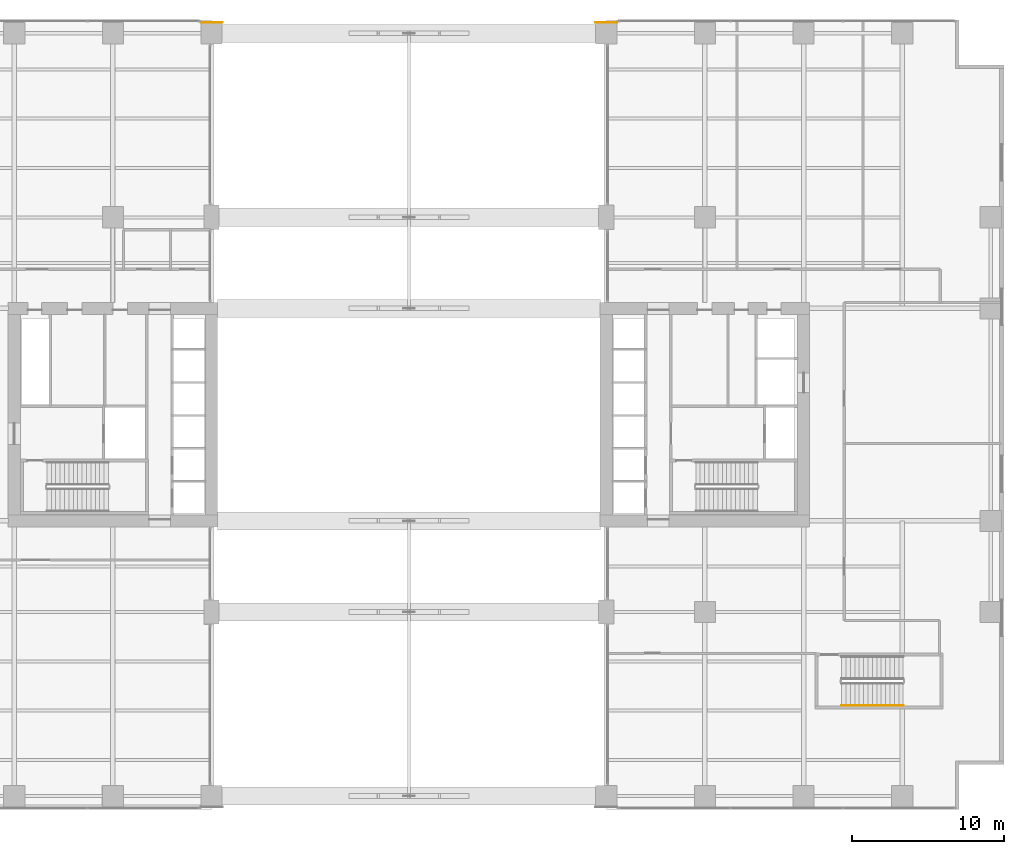
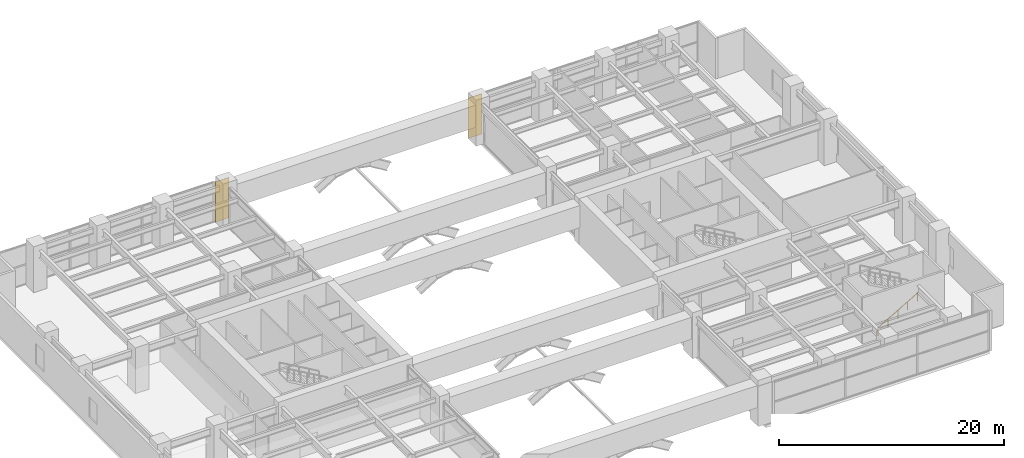
# One storey, part 22 of 23: 2 coverings, 1 railing.
"""IFC4 building model written with IfcOpenShell, lengths in metres."""

from ifc_helpers import new_model, si_unit, direction, frame, origin, origin_2d, place, context, subcontext, project, spatial, rectangle, circle, extrude, material, layer, layer_set, type_object, element, save


model = new_model("IFC4")

# Units and contexts
model_context = context("Model", 3, precision=1e-05, world=origin(), true_north=direction((0.0, 1.0)))
body_context = subcontext(model_context, "Body", "Model", "MODEL_VIEW")
ifc_project = project(units=[si_unit("LENGTHUNIT", "METRE"), si_unit("AREAUNIT", "SQUARE_METRE"), si_unit("VOLUMEUNIT", "CUBIC_METRE"), si_unit("PLANEANGLEUNIT", "RADIAN"), si_unit("MASSUNIT", "GRAM", prefix="KILO")], contexts=[model_context])

# Site, building, storey
site_placement = place(None, origin())
site = spatial("IfcSite", under=ifc_project, at=site_placement, CompositionType="ELEMENT")
building_placement = place(site_placement, origin())
building = spatial("IfcBuilding", under=site, at=building_placement, Name="Putna Gate Headquarters", CompositionType="ELEMENT")
storey_placement = place(building_placement, frame((0.0, 0.0, 17.0)))
storey = spatial("IfcBuildingStorey", under=building, at=storey_placement, Name="L03", CompositionType="ELEMENT", Elevation=17.0)

# Coverings
ifc_material_1 = material(Name="Anodised architectural bronze rainscreen cladding", Category="aluminium")
ifc_layer = layer(ifc_material_1, 0.0400390625)
ifc_layer_set = layer_set([ifc_layer], Name="Anodised architectural bronze rainscreen cladding")
covering_type = type_object("IfcCoveringType", Name="COV-BRONZE-CLADDING", PredefinedType="CLADDING", material=ifc_layer_set)
for number, where, z_axis, x_axis, name in (
    (1, (26.0, 51.8349609375, 0.0), (0.0, 0.0, 1.0), (1.0, 0.0, 0.0), "L03 Giant Arch Pier Bronze Cladding WN"),
    (2, (52.0, 51.8349609375, 0.0), (0.0, 0.0, 1.0), (1.0, 0.0, 0.0), "L03 Giant Arch Pier Bronze Cladding EN"),
):
    element("IfcCovering", number, at=place(storey_placement, frame(where, z_axis=z_axis, x_axis=x_axis)), inside=storey, type_object=covering_type, Name=name, PredefinedType="CLADDING", context=body_context, shape_type="SweptSolid", body=[
        extrude(rectangle(XDim=1.43994140625, YDim=0.0400390625, at=origin_2d()), origin(), (0.0, 0.0, 1.0), 4.39990234375),
    ])

# Railing
ifc_material_2 = material(Name="Brushed stainless steel handrail", Category="steel")
railing_type = type_object("IfcRailingType", Name="RAIL-STAIR-HAND-900", PredefinedType="HANDRAIL", material=ifc_material_2)
railing_placement = place(storey_placement, frame((67.5, 6.85009765625, 0.166748046875)))
element("IfcRailing", 3, at=railing_placement, inside=storey, type_object=railing_type, Name="L03 ST3 stair handrail 1", PredefinedType="HANDRAIL", context=body_context, shape_type="SweptSolid", body=[
    extrude(circle(Radius=0.02392578125, at=origin_2d()), frame((0.0, 0.0, 0.8759765625), z_axis=(0.867024558463, 0.0, 0.498265406207), x_axis=(0.0, 1.0, 0.0)), (0.0, 0.0, 1.0), 4.682861328125),
    extrude(circle(Radius=0.02099609375, at=origin_2d()), origin(), (0.0, 0.0, 1.0), 0.851806640625),
    extrude(circle(Radius=0.02099609375, at=origin_2d()), frame((1.01513671875, 0.0, 0.583251953125)), (0.0, 0.0, 1.0), 0.851806640625),
    extrude(circle(Radius=0.02099609375, at=origin_2d()), frame((2.030029296875, 0.0, 1.16650390625)), (0.0, 0.0, 1.0), 0.851806640625),
    extrude(circle(Radius=0.02099609375, at=origin_2d()), frame((3.044921875, 0.0, 1.75)), (0.0, 0.0, 1.0), 0.851806640625),
    extrude(circle(Radius=0.02099609375, at=origin_2d()), frame((4.06005859375, 0.0, 2.333251953125)), (0.0, 0.0, 1.0), 0.851806640625),
])

save(model, "model.ifc")
